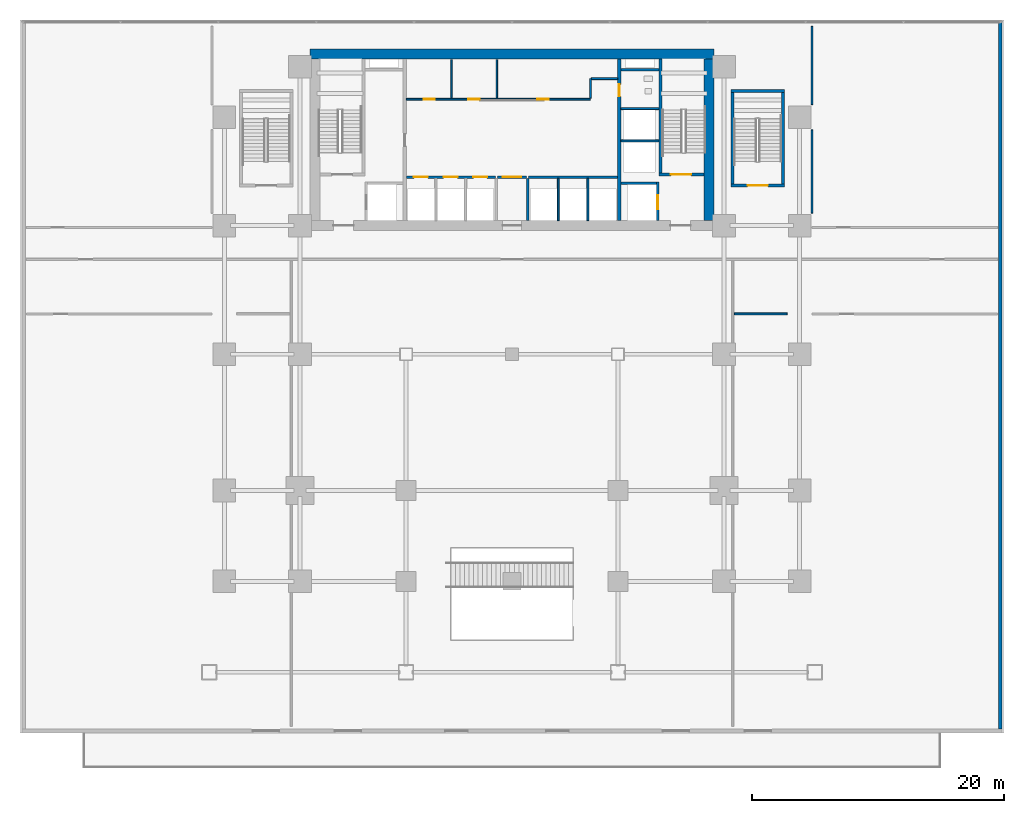
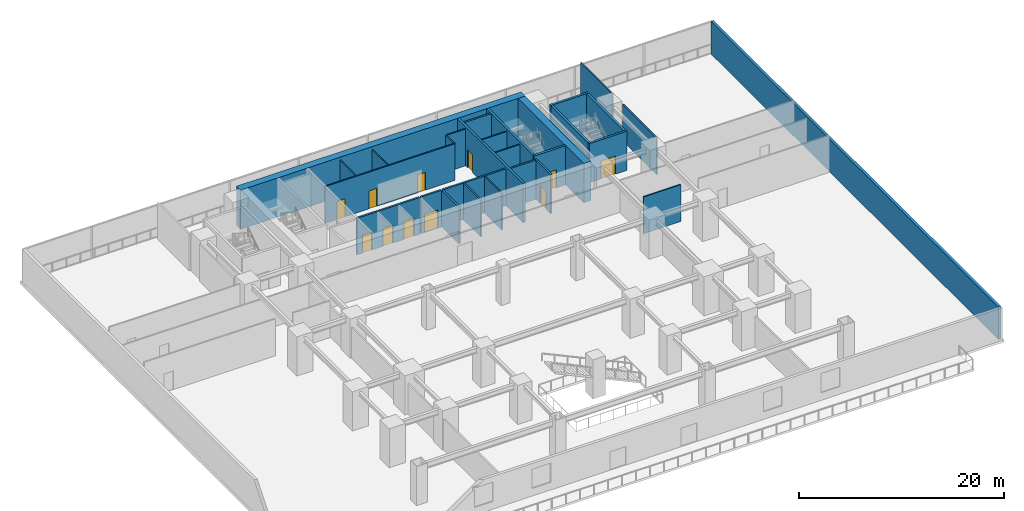
# One storey, part 10 of 17: 29 walls, 11 doors, 11 openings.
"""IFC4 building model written with IfcOpenShell, lengths in metres."""

from ifc_helpers import new_model, si_unit, direction, frame, frame_2d, origin, place, context, subcontext, project, spatial, rectangle, extrude, source, transform, mapped, material, layer, layer_set, type_object, element, fill, save


model = new_model("IFC4")

# Units and contexts
model_context = context("Model", 3, precision=1e-05, world=origin(), true_north=direction((0.0, 1.0)))
body_context = subcontext(model_context, "Body", "Model", "MODEL_VIEW")
ifc_project = project(units=[si_unit("LENGTHUNIT", "METRE"), si_unit("AREAUNIT", "SQUARE_METRE"), si_unit("VOLUMEUNIT", "CUBIC_METRE"), si_unit("PLANEANGLEUNIT", "RADIAN"), si_unit("MASSUNIT", "GRAM", prefix="KILO")], contexts=[model_context])

# Site, building, storey
site_placement = place(None, origin())
site = spatial("IfcSite", under=ifc_project, at=site_placement, CompositionType="ELEMENT")
building_placement = place(site_placement, origin())
building = spatial("IfcBuilding", under=site, at=building_placement, Name="Sumidabori Civic Tower", CompositionType="ELEMENT")
storey_placement = place(building_placement, frame((0.0, 0.0, 5.0)))
storey = spatial("IfcBuildingStorey", under=building, at=storey_placement, Name="L01", CompositionType="ELEMENT", Elevation=5.0)

# Walls
ifc_material_1 = material(Name="Concrete C60/75", Category="concrete")
ifc_layer_1 = layer(ifc_material_1, 0.800048828125, Name="Concrete C60/75")
ifc_layer_set_1 = layer_set([ifc_layer_1], Name="Concrete C60/75")
wall_type_1 = type_object("IfcWallType", Name="WL-CORE-800", PredefinedType="SHEAR", material=ifc_layer_set_1)
shared_shape_1 = source(origin(), body_context, "Body", "SweptSolid", [
    extrude(rectangle(XDim=32.0, YDim=0.800048828125, at=frame_2d((16.0, 0.0))), origin(), (0.0, 0.0, 1.0), 4.64990234375),
])
wall_1_placement = place(storey_placement, frame((-16.0, 23.800048828125, 0.0), z_axis=(0.0, 0.0, 1.0), x_axis=(1.0, 0.0, 0.0)))
element("IfcWall", 1, at=wall_1_placement, inside=storey, type_object=wall_type_1, Name="Core Shear Wall L01 N", PredefinedType="SHEAR", context=body_context, shape_type="MappedRepresentation", body=[
    mapped(shared_shape_1, transform((0.0, 0.0, 0.0), x_axis=(1.0, 0.0, 0.0), y_axis=(0.0, 1.0, 0.0), z_axis=(0.0, 0.0, 1.0), scale=1.0)),
])
shared_shape_2 = source(origin(), body_context, "Body", "SweptSolid", [
    extrude(rectangle(XDim=12.7998046875, YDim=0.800048828125, at=frame_2d((6.39990234375, 0.0))), origin(), (0.0, 0.0, 1.0), 4.64990234375),
])
wall_2_placement = place(storey_placement, frame((15.60009765625, 10.60009765625, 0.0), z_axis=(0.0, 0.0, 1.0), x_axis=(0.0, 1.0, 0.0)))
element("IfcWall", 2, at=wall_2_placement, inside=storey, type_object=wall_type_1, Name="Core Shear Wall L01 E", PredefinedType="SHEAR", context=body_context, shape_type="MappedRepresentation", body=[
    mapped(shared_shape_2, transform((0.0, 0.0, 0.0), x_axis=(1.0, 0.0, 0.0), y_axis=(0.0, 1.0, 0.0), z_axis=(0.0, 0.0, 1.0), scale=1.0)),
])

# Wall, opening, door
ifc_material_2 = material(Name="Concrete C50/60", Category="concrete")
ifc_layer_2 = layer(ifc_material_2, 0.25, Name="Concrete C50/60")
ifc_layer_set_2 = layer_set([ifc_layer_2], Name="Concrete C50/60")
wall_type_2 = type_object("IfcWallType", Name="WL-SHAFT-250", PredefinedType="SHEAR", material=ifc_layer_set_2)
shared_shape_3 = source(origin(), body_context, "Body", "SweptSolid", [
    extrude(rectangle(XDim=12.7998046875, YDim=0.25, at=frame_2d((6.39990234375, 0.0))), origin(), (0.0, 0.0, 1.0), 4.64990234375),
])
wall_3_placement = place(storey_placement, frame((8.5, 10.60009765625, 0.0), z_axis=(0.0, 0.0, 1.0), x_axis=(0.0, 1.0, 0.0)))
wall_3 = element("IfcWall", 3, at=wall_3_placement, inside=storey, type_object=wall_type_2, Name="Core Shear Wall L01 WEB-E", PredefinedType="SHEAR", context=body_context, shape_type="MappedRepresentation", body=[
    mapped(shared_shape_3, transform((0.0, 0.0, 0.0), x_axis=(1.0, 0.0, 0.0), y_axis=(0.0, 1.0, 0.0), z_axis=(0.0, 0.0, 1.0), scale=1.0)),
])
opening_1_placement = place(wall_3_placement, frame((9.85009765625, 0.0, 0.0)))
opening_1 = element("IfcOpeningElement", 4, at=opening_1_placement, cuts=wall_3, Name="Opening DR-2", PredefinedType="OPENING", context=body_context, shape_type="SweptSolid", body=[
    extrude(rectangle(XDim=0.949951171875, YDim=2.14990234375, at=frame_2d((0.47509765625, 1.074951171875))), frame((0.0, 0.136962890625, 0.0), z_axis=(0.0, -1.0, 0.0), x_axis=(1.0, 0.0, 0.0)), (0.0, 0.0, 1.0), 0.27392578125),
])
ifc_material_3 = material(Name="Japanese Hinoki Timber", Category="wood")
door_type_1 = type_object("IfcDoorType", Name="DR-INT-950", OperationType="NOTDEFINED", PredefinedType="DOOR", material=ifc_material_3)
shared_shape_4 = source(origin(), body_context, "Body", "SweptSolid", [
    extrude(rectangle(XDim=0.949951171875, YDim=2.14990234375, at=frame_2d((0.47509765625, 1.074951171875))), frame((0.0, 0.02490234375, 0.0), z_axis=(0.0, -1.0, 0.0), x_axis=(1.0, 0.0, 0.0)), (0.0, 0.0, 1.0), 0.050048828125),
])
door_1_placement = place(opening_1_placement, origin())
door_1 = element("IfcDoor", 5, at=door_1_placement, inside=storey, type_object=door_type_1, Name="Door DR:L01:WC-ACC", OperationType="SINGLE_SWING_RIGHT", OverallHeight=2.14990234375, OverallWidth=0.949951171875, PredefinedType="DOOR", context=body_context, shape_type="MappedRepresentation", body=[
    mapped(shared_shape_4, transform((0.0, 0.0, 0.0), x_axis=(1.0, 0.0, 0.0), y_axis=(0.0, 1.0, 0.0), z_axis=(0.0, 0.0, 1.0), scale=1.0)),
])
fill(opening_1, door_1)

shared_shape_5 = source(origin(), body_context, "Body", "SweptSolid", [
    extrude(rectangle(XDim=3.554931640625, YDim=0.25, at=frame_2d((1.77734375, 0.0))), origin(), (0.0, 0.0, 1.0), 4.64990234375),
])
wall_4_placement = place(storey_placement, frame((11.64501953125, 14.25, 0.0), z_axis=(0.0, 0.0, 1.0), x_axis=(1.0, 0.0, 0.0)))
wall_4 = element("IfcWall", 6, at=wall_4_placement, inside=storey, type_object=wall_type_2, Name="Core Shear Wall L01 ST2-S", PredefinedType="SHEAR", context=body_context, shape_type="MappedRepresentation", body=[
    mapped(shared_shape_5, transform((0.0, 0.0, 0.0), x_axis=(1.0, 0.0, 0.0), y_axis=(0.0, 1.0, 0.0), z_axis=(0.0, 0.0, 1.0), scale=1.0)),
])
opening_2_placement = place(wall_4_placement, frame((0.949951171875, 0.0, 0.0)))
opening_2 = element("IfcOpeningElement", 7, at=opening_2_placement, cuts=wall_4, Name="Opening DR-FD4", PredefinedType="OPENING", context=body_context, shape_type="SweptSolid", body=[
    extrude(rectangle(XDim=1.60009765625, YDim=2.14990234375, at=frame_2d((0.800048828125, 1.074951171875))), frame((0.0, 0.136962890625, 0.0), z_axis=(0.0, -1.0, 0.0), x_axis=(1.0, 0.0, 0.0)), (0.0, 0.0, 1.0), 0.27392578125),
])
ifc_material_4 = material(Name="Steel SN490", Category="steel")
door_type_2 = type_object("IfcDoorType", Name="DR-FD4", OperationType="DOUBLE_DOOR_SINGLE_SWING", PredefinedType="DOOR", material=ifc_material_4)
shared_shape_6 = source(origin(), body_context, "Body", "SweptSolid", [
    extrude(rectangle(XDim=1.60009765625, YDim=2.14990234375, at=frame_2d((0.800048828125, 1.074951171875))), frame((0.0, 0.02490234375, 0.0), z_axis=(0.0, -1.0, 0.0), x_axis=(1.0, 0.0, 0.0)), (0.0, 0.0, 1.0), 0.050048828125),
])
door_2_placement = place(opening_2_placement, origin())
door_2 = element("IfcDoor", 8, at=door_2_placement, inside=storey, type_object=door_type_2, Name="Door DR:L01:ST2", OperationType="DOUBLE_DOOR_SINGLE_SWING", OverallHeight=2.14990234375, OverallWidth=1.60009765625, PredefinedType="DOOR", context=body_context, shape_type="MappedRepresentation", body=[
    mapped(shared_shape_6, transform((0.0, 0.0, 0.0), x_axis=(1.0, 0.0, 0.0), y_axis=(0.0, 1.0, 0.0), z_axis=(0.0, 0.0, 1.0), scale=1.0)),
])
fill(opening_2, door_2)

# Wall
shared_shape_7 = source(origin(), body_context, "Body", "SweptSolid", [
    extrude(rectangle(XDim=9.02490234375, YDim=0.25, at=frame_2d((4.512451171875, 0.0))), origin(), (0.0, 0.0, 1.0), 4.64990234375),
])
wall_5_placement = place(storey_placement, frame((11.77001953125, 14.375, 0.0), z_axis=(0.0, 0.0, 1.0), x_axis=(0.0, 1.0, 0.0)))
element("IfcWall", 9, at=wall_5_placement, inside=storey, type_object=wall_type_2, Name="Core Shear Wall L01 ST2-W", PredefinedType="SHEAR", context=body_context, shape_type="MappedRepresentation", body=[
    mapped(shared_shape_7, transform((0.0, 0.0, 0.0), x_axis=(1.0, 0.0, 0.0), y_axis=(0.0, 1.0, 0.0), z_axis=(0.0, 0.0, 1.0), scale=1.0)),
])

# Wall, opening, door
ifc_layer_3 = layer(ifc_material_2, 0.199951171875, Name="Concrete C50/60")
ifc_layer_set_3 = layer_set([ifc_layer_3], Name="Concrete C50/60")
wall_type_3 = type_object("IfcWallType", Name="WL-SHAFT-200", PredefinedType="SHEAR", material=ifc_layer_set_3)
shared_shape_8 = source(origin(), body_context, "Body", "SweptSolid", [
    extrude(rectangle(XDim=3.0498046875, YDim=0.199951171875, at=frame_2d((1.52490234375, 0.0))), origin(), (0.0, 0.0, 1.0), 4.64990234375),
])
wall_6_placement = place(storey_placement, frame((11.550048828125, 10.60009765625, 0.0), z_axis=(0.0, 0.0, 1.0), x_axis=(0.0, 1.0, 0.0)))
wall_6 = element("IfcWall", 10, at=wall_6_placement, inside=storey, type_object=wall_type_3, Name="Core Shear Wall L01 EL2-E", PredefinedType="SHEAR", context=body_context, shape_type="MappedRepresentation", body=[
    mapped(shared_shape_8, transform((0.0, 0.0, 0.0), x_axis=(1.0, 0.0, 0.0), y_axis=(0.0, 1.0, 0.0), z_axis=(0.0, 0.0, 1.0), scale=1.0)),
])
opening_3_placement = place(wall_6_placement, frame((0.89990234375, 0.0, 0.0)))
opening_3 = element("IfcOpeningElement", 11, at=opening_3_placement, cuts=wall_6, Name="Opening LD-2", PredefinedType="OPENING", context=body_context, shape_type="SweptSolid", body=[
    extrude(rectangle(XDim=1.10009765625, YDim=2.14990234375, at=frame_2d((0.550048828125, 1.074951171875))), frame((0.0, 0.11181640625, 0.0), z_axis=(0.0, -1.0, 0.0), x_axis=(1.0, 0.0, 0.0)), (0.0, 0.0, 1.0), 0.223876953125),
])
ifc_material_5 = material(Name="Stainless Steel Hairline Finish", Category="steel")
door_type_3 = type_object("IfcDoorType", Name="DR-LD2", OperationType="DOUBLE_DOOR_SLIDING", PredefinedType="DOOR", material=ifc_material_5)
shared_shape_9 = source(origin(), body_context, "Body", "SweptSolid", [
    extrude(rectangle(XDim=1.10009765625, YDim=2.14990234375, at=frame_2d((0.550048828125, 1.074951171875))), frame((0.0, 0.02490234375, 0.0), z_axis=(0.0, -1.0, 0.0), x_axis=(1.0, 0.0, 0.0)), (0.0, 0.0, 1.0), 0.050048828125),
])
door_3_placement = place(opening_3_placement, origin())
door_3 = element("IfcDoor", 12, at=door_3_placement, inside=storey, type_object=door_type_3, Name="Door DR:L01:LD-EL2", OperationType="DOUBLE_DOOR_SLIDING", OverallHeight=2.14990234375, OverallWidth=1.10009765625, PredefinedType="DOOR", context=body_context, shape_type="MappedRepresentation", body=[
    mapped(shared_shape_9, transform((0.0, 0.0, 0.0), x_axis=(1.0, 0.0, 0.0), y_axis=(0.0, 1.0, 0.0), z_axis=(0.0, 0.0, 1.0), scale=1.0)),
])
fill(opening_3, door_3)

# Walls
shared_shape_10 = source(origin(), body_context, "Body", "SweptSolid", [
    extrude(rectangle(XDim=2.824951171875, YDim=0.199951171875, at=frame_2d((1.41259765625, 0.0))), origin(), (0.0, 0.0, 1.0), 4.64990234375),
])
wall_7_placement = place(storey_placement, frame((8.625, 13.550048828125, 0.0), z_axis=(0.0, 0.0, 1.0), x_axis=(1.0, 0.0, 0.0)))
element("IfcWall", 13, at=wall_7_placement, inside=storey, type_object=wall_type_3, Name="Core Shear Wall L01 EL2-N", PredefinedType="SHEAR", context=body_context, shape_type="MappedRepresentation", body=[
    mapped(shared_shape_10, transform((0.0, 0.0, 0.0), x_axis=(1.0, 0.0, 0.0), y_axis=(0.0, 1.0, 0.0), z_axis=(0.0, 0.0, 1.0), scale=1.0)),
])
shared_shape_11 = source(origin(), body_context, "Body", "SweptSolid", [
    extrude(rectangle(XDim=3.02001953125, YDim=0.199951171875, at=frame_2d((1.510009765625, 0.0))), origin(), (0.0, 0.0, 1.0), 4.64990234375),
])
wall_8_placement = place(storey_placement, frame((8.625, 22.550048828125, 0.0), z_axis=(0.0, 0.0, 1.0), x_axis=(1.0, 0.0, 0.0)))
element("IfcWall", 14, at=wall_8_placement, inside=storey, type_object=wall_type_3, Name="Core Shear Wall L01 RIS2-S", PredefinedType="SHEAR", context=body_context, shape_type="MappedRepresentation", body=[
    mapped(shared_shape_11, transform((0.0, 0.0, 0.0), x_axis=(1.0, 0.0, 0.0), y_axis=(0.0, 1.0, 0.0), z_axis=(0.0, 0.0, 1.0), scale=1.0)),
])
shared_shape_12 = source(origin(), body_context, "Body", "SweptSolid", [
    extrude(rectangle(XDim=4.260009765625, YDim=0.25, at=frame_2d((2.1298828125, 0.0))), origin(), (0.0, 0.0, 1.0), 4.64990234375),
])
wall_9_placement = place(storey_placement, frame((17.35009765625, 20.864990234375, 0.0), z_axis=(0.0, 0.0, 1.0), x_axis=(1.0, 0.0, 0.0)))
element("IfcWall", 15, at=wall_9_placement, inside=storey, type_object=wall_type_2, Name="Core Shear Wall L01 ST4-N", PredefinedType="SHEAR", context=body_context, shape_type="MappedRepresentation", body=[
    mapped(shared_shape_12, transform((0.0, 0.0, 0.0), x_axis=(1.0, 0.0, 0.0), y_axis=(0.0, 1.0, 0.0), z_axis=(0.0, 0.0, 1.0), scale=1.0)),
])

# Wall, opening, door
wall_10_placement = place(storey_placement, frame((17.35009765625, 13.375, 0.0), z_axis=(0.0, 0.0, 1.0), x_axis=(1.0, 0.0, 0.0)))
wall_10 = element("IfcWall", 16, at=wall_10_placement, inside=storey, type_object=wall_type_2, Name="Core Shear Wall L01 ST4-S", PredefinedType="SHEAR", context=body_context, shape_type="MappedRepresentation", body=[
    mapped(shared_shape_12, transform((0.0, 0.0, 0.0), x_axis=(1.0, 0.0, 0.0), y_axis=(0.0, 1.0, 0.0), z_axis=(0.0, 0.0, 1.0), scale=1.0)),
])
opening_4_placement = place(wall_10_placement, frame((1.330078125, 0.0, 0.0)))
opening_4 = element("IfcOpeningElement", 17, at=opening_4_placement, cuts=wall_10, Name="Opening DR-FD4", PredefinedType="OPENING", context=body_context, shape_type="SweptSolid", body=[
    extrude(rectangle(XDim=1.60009765625, YDim=2.14990234375, at=frame_2d((0.800048828125, 1.074951171875))), frame((0.0, 0.136962890625, 0.0), z_axis=(0.0, -1.0, 0.0), x_axis=(1.0, 0.0, 0.0)), (0.0, 0.0, 1.0), 0.27392578125),
])
door_4_placement = place(opening_4_placement, origin())
door_4 = element("IfcDoor", 18, at=door_4_placement, inside=storey, type_object=door_type_2, Name="Door DR:L01:ST4", OperationType="DOUBLE_DOOR_SINGLE_SWING", OverallHeight=2.14990234375, OverallWidth=1.60009765625, PredefinedType="DOOR", context=body_context, shape_type="MappedRepresentation", body=[
    mapped(shared_shape_6, transform((0.0, 0.0, 0.0), x_axis=(1.0, 0.0, 0.0), y_axis=(0.0, 1.0, 0.0), z_axis=(0.0, 0.0, 1.0), scale=1.0)),
])
fill(opening_4, door_4)

# Walls
shared_shape_13 = source(origin(), body_context, "Body", "SweptSolid", [
    extrude(rectangle(XDim=7.230224609375, YDim=0.25, at=frame_2d((3.615234375, 0.0))), origin(), (0.0, 0.0, 1.0), 4.64990234375),
])
for number, where, z_axis, x_axis, name in (
    (19, (17.47509765625, 13.5048828125, 0.0), (0.0, 0.0, 1.0), (0.0, 1.0, 0.0), "Core Shear Wall L01 ST4-W"),
    (20, (21.485107421875, 13.5048828125, 0.0), (0.0, 0.0, 1.0), (0.0, 1.0, 0.0), "Core Shear Wall L01 ST4-E"),
):
    element("IfcWall", number, at=place(storey_placement, frame(where, z_axis=z_axis, x_axis=x_axis)), inside=storey, type_object=wall_type_2, Name=name, PredefinedType="SHEAR", context=body_context, shape_type="MappedRepresentation", body=[
        mapped(shared_shape_13, transform((0.0, 0.0, 0.0), x_axis=(1.0, 0.0, 0.0), y_axis=(0.0, 1.0, 0.0), z_axis=(0.0, 0.0, 1.0), scale=1.0)),
    ])
ifc_material_6 = material(Name="Precast concrete C40/50", Category="concrete")
ifc_layer_4 = layer(ifc_material_6, 0.300048828125, Name="Precast concrete C40/50")
ifc_layer_set_4 = layer_set([ifc_layer_4], Name="Precast concrete C40/50")
wall_type_4 = type_object("IfcWallType", Name="WL-EXT-POD300", PredefinedType="STANDARD", material=ifc_layer_set_4)
shared_shape_14 = source(origin(), body_context, "Body", "SweptSolid", [
    extrude(rectangle(XDim=55.989990234375, YDim=0.300048828125, at=frame_2d((27.9951171875, 0.0))), origin(), (0.0, 0.0, 1.0), 3.8701171875),
])
wall_11_placement = place(storey_placement, frame((38.699951171875, 26.2900390625, 0.0), z_axis=(0.0, 0.0, 1.0), x_axis=(0.0, -1.0, 0.0)))
element("IfcWall", 21, at=wall_11_placement, inside=storey, type_object=wall_type_4, Name="Podium East Wall L01", PredefinedType="STANDARD", context=body_context, shape_type="MappedRepresentation", body=[
    mapped(shared_shape_14, transform((0.0, 0.0, 0.0), x_axis=(1.0, 0.0, 0.0), y_axis=(0.0, 1.0, 0.0), z_axis=(0.0, 0.0, 1.0), scale=1.0)),
])
ifc_material_7 = material(Name="Gypsum Plasterboard Acoustic Partition")
ifc_layer_5 = layer(ifc_material_7, 0.14990234375, Name="Gypsum Plasterboard Acoustic Partition")
ifc_layer_set_5 = layer_set([ifc_layer_5], Name="Gypsum Plasterboard Acoustic Partition")
wall_type_5 = type_object("IfcWallType", Name="WL-PART-150", PredefinedType="PARTITIONING", material=ifc_layer_set_5)
shared_shape_15 = source(origin(), body_context, "Body", "SweptSolid", [
    extrude(rectangle(XDim=3.010009765625, YDim=0.14990234375, at=frame_2d((1.5048828125, 0.0))), origin(), (0.0, 0.0, 1.0), 4.3701171875),
])
for number, where, z_axis, x_axis, name in (
    (22, (8.6298828125, 16.919921875, 0.0), (0.0, 0.0, 1.0), (1.0, 0.0, 0.0), "Interior Partition WL:L01:DIV-OBS1"),
    (23, (8.6298828125, 19.469970703125, 0.0), (0.0, 0.0, 1.0), (1.0, 0.0, 0.0), "Interior Partition WL:L01:DIV-OBS2"),
):
    element("IfcWall", number, at=place(storey_placement, frame(where, z_axis=z_axis, x_axis=x_axis)), inside=storey, type_object=wall_type_5, Name=name, PredefinedType="PARTITIONING", context=body_context, shape_type="MappedRepresentation", body=[
        mapped(shared_shape_15, transform((0.0, 0.0, 0.0), x_axis=(1.0, 0.0, 0.0), y_axis=(0.0, 1.0, 0.0), z_axis=(0.0, 0.0, 1.0), scale=1.0)),
    ])

# Wall, openings, doors
ifc_material_8 = material(Name="Gypsum Plasterboard Fire Partition")
ifc_layer_6 = layer(ifc_material_8, 0.199951171875, Name="Gypsum Plasterboard Fire Partition")
ifc_layer_set_6 = layer_set([ifc_layer_6], Name="Gypsum Plasterboard Fire Partition")
wall_type_6 = type_object("IfcWallType", Name="WL-PART-FIRE", PredefinedType="PARTITIONING", material=ifc_layer_set_6)
shared_shape_16 = source(origin(), body_context, "Body", "SweptSolid", [
    extrude(rectangle(XDim=7.070068359375, YDim=0.199951171875, at=frame_2d((3.53515625, 0.0))), origin(), (0.0, 0.0, 1.0), 4.3701171875),
])
wall_12_placement = place(storey_placement, frame((-8.3701171875, 14.050048828125, 0.0), z_axis=(0.0, 0.0, 1.0), x_axis=(1.0, 0.0, 0.0)))
wall_12 = element("IfcWall", 24, at=wall_12_placement, inside=storey, type_object=wall_type_6, Name="Interior Partition WL:L01:CBAND-SW", PredefinedType="PARTITIONING", context=body_context, shape_type="MappedRepresentation", body=[
    mapped(shared_shape_16, transform((0.0, 0.0, 0.0), x_axis=(1.0, 0.0, 0.0), y_axis=(0.0, 1.0, 0.0), z_axis=(0.0, 0.0, 1.0), scale=1.0)),
])
opening_5_placement = place(wall_12_placement, frame((0.60009765625, 0.0, 0.0)))
opening_5 = element("IfcOpeningElement", 25, at=opening_5_placement, cuts=wall_12, Name="Opening LD-1", PredefinedType="OPENING", context=body_context, shape_type="SweptSolid", body=[
    extrude(rectangle(XDim=1.10009765625, YDim=2.14990234375, at=frame_2d((0.550048828125, 1.074951171875))), frame((0.0, 0.11181640625, 0.0), z_axis=(0.0, -1.0, 0.0), x_axis=(1.0, 0.0, 0.0)), (0.0, 0.0, 1.0), 0.223876953125),
])
opening_6_placement = place(wall_12_placement, frame((2.949951171875, 0.0, 0.0)))
opening_6 = element("IfcOpeningElement", 26, at=opening_6_placement, cuts=wall_12, Name="Opening LD-1", PredefinedType="OPENING", context=body_context, shape_type="SweptSolid", body=[
    extrude(rectangle(XDim=1.10009765625, YDim=2.14990234375, at=frame_2d((0.550048828125, 1.074951171875))), frame((0.0, 0.11181640625, 0.0), z_axis=(0.0, -1.0, 0.0), x_axis=(1.0, 0.0, 0.0)), (0.0, 0.0, 1.0), 0.223876953125),
])
opening_7_placement = place(wall_12_placement, frame((5.300048828125, 0.0, 0.0)))
opening_7 = element("IfcOpeningElement", 27, at=opening_7_placement, cuts=wall_12, Name="Opening LD-1", PredefinedType="OPENING", context=body_context, shape_type="SweptSolid", body=[
    extrude(rectangle(XDim=1.10009765625, YDim=2.14990234375, at=frame_2d((0.550048828125, 1.074951171875))), frame((0.0, 0.11181640625, 0.0), z_axis=(0.0, -1.0, 0.0), x_axis=(1.0, 0.0, 0.0)), (0.0, 0.0, 1.0), 0.223876953125),
])
door_type_4 = type_object("IfcDoorType", Name="DR-LD1", OperationType="DOUBLE_DOOR_SLIDING", PredefinedType="DOOR", material=ifc_material_5)
door_5_placement = place(opening_5_placement, origin())
door_5 = element("IfcDoor", 28, at=door_5_placement, inside=storey, type_object=door_type_4, Name="Door DR:L01:LD-PLL1", OperationType="DOUBLE_DOOR_SLIDING", OverallHeight=2.14990234375, OverallWidth=1.10009765625, PredefinedType="DOOR", context=body_context, shape_type="MappedRepresentation", body=[
    mapped(shared_shape_9, transform((0.0, 0.0, 0.0), x_axis=(1.0, 0.0, 0.0), y_axis=(0.0, 1.0, 0.0), z_axis=(0.0, 0.0, 1.0), scale=1.0)),
])
fill(opening_5, door_5)
door_6_placement = place(opening_6_placement, origin())
door_6 = element("IfcDoor", 29, at=door_6_placement, inside=storey, type_object=door_type_4, Name="Door DR:L01:LD-PLL2", OperationType="DOUBLE_DOOR_SLIDING", OverallHeight=2.14990234375, OverallWidth=1.10009765625, PredefinedType="DOOR", context=body_context, shape_type="MappedRepresentation", body=[
    mapped(shared_shape_9, transform((0.0, 0.0, 0.0), x_axis=(1.0, 0.0, 0.0), y_axis=(0.0, 1.0, 0.0), z_axis=(0.0, 0.0, 1.0), scale=1.0)),
])
fill(opening_6, door_6)
door_7_placement = place(opening_7_placement, origin())
door_7 = element("IfcDoor", 30, at=door_7_placement, inside=storey, type_object=door_type_4, Name="Door DR:L01:LD-PLL3", OperationType="DOUBLE_DOOR_SLIDING", OverallHeight=2.14990234375, OverallWidth=1.10009765625, PredefinedType="DOOR", context=body_context, shape_type="MappedRepresentation", body=[
    mapped(shared_shape_9, transform((0.0, 0.0, 0.0), x_axis=(1.0, 0.0, 0.0), y_axis=(0.0, 1.0, 0.0), z_axis=(0.0, 0.0, 1.0), scale=1.0)),
])
fill(opening_7, door_7)

# Walls
wall_13_placement = place(storey_placement, frame((1.300048828125, 14.050048828125, 0.0), z_axis=(0.0, 0.0, 1.0), x_axis=(1.0, 0.0, 0.0)))
element("IfcWall", 31, at=wall_13_placement, inside=storey, type_object=wall_type_6, Name="Interior Partition WL:L01:CBAND-SE", PredefinedType="PARTITIONING", context=body_context, shape_type="MappedRepresentation", body=[
    mapped(shared_shape_16, transform((0.0, 0.0, 0.0), x_axis=(1.0, 0.0, 0.0), y_axis=(0.0, 1.0, 0.0), z_axis=(0.0, 0.0, 1.0), scale=1.0)),
])
shared_shape_17 = source(origin(), body_context, "Body", "SweptSolid", [
    extrude(rectangle(XDim=3.33984375, YDim=0.199951171875, at=frame_2d((1.669921875, 0.0))), origin(), (0.0, 0.0, 1.0), 4.3701171875),
])
wall_14_placement = place(storey_placement, frame((1.25, 10.60009765625, 0.0), z_axis=(0.0, 0.0, 1.0), x_axis=(0.0, 1.0, 0.0)))
element("IfcWall", 32, at=wall_14_placement, inside=storey, type_object=wall_type_6, Name="Interior Partition WL:L01:THROAT-E", PredefinedType="PARTITIONING", context=body_context, shape_type="MappedRepresentation", body=[
    mapped(shared_shape_17, transform((0.0, 0.0, 0.0), x_axis=(1.0, 0.0, 0.0), y_axis=(0.0, 1.0, 0.0), z_axis=(0.0, 0.0, 1.0), scale=1.0)),
])

# Wall, opening, door
shared_shape_18 = source(origin(), body_context, "Body", "SweptSolid", [
    extrude(rectangle(XDim=2.2998046875, YDim=0.199951171875, at=frame_2d((1.14990234375, 0.0))), origin(), (0.0, 0.0, 1.0), 4.3701171875),
])
wall_15_placement = place(storey_placement, frame((-1.14990234375, 14.050048828125, 0.0), z_axis=(0.0, 0.0, 1.0), x_axis=(1.0, 0.0, 0.0)))
wall_15 = element("IfcWall", 33, at=wall_15_placement, inside=storey, type_object=wall_type_6, Name="Interior Partition WL:L01:THROAT-N", PredefinedType="PARTITIONING", context=body_context, shape_type="MappedRepresentation", body=[
    mapped(shared_shape_18, transform((0.0, 0.0, 0.0), x_axis=(1.0, 0.0, 0.0), y_axis=(0.0, 1.0, 0.0), z_axis=(0.0, 0.0, 1.0), scale=1.0)),
])
opening_8_placement = place(wall_15_placement, frame((0.39990234375, 0.0, 0.0)))
opening_8 = element("IfcOpeningElement", 34, at=opening_8_placement, cuts=wall_15, Name="Opening DR-FD3", PredefinedType="OPENING", context=body_context, shape_type="SweptSolid", body=[
    extrude(rectangle(XDim=1.5, YDim=2.199951171875, at=frame_2d((0.75, 1.10009765625))), frame((0.0, 0.11181640625, 0.0), z_axis=(0.0, -1.0, 0.0), x_axis=(1.0, 0.0, 0.0)), (0.0, 0.0, 1.0), 0.223876953125),
])
door_type_5 = type_object("IfcDoorType", Name="DR-FD-DBL", OperationType="DOUBLE_DOOR_SINGLE_SWING", PredefinedType="DOOR", material=ifc_material_4)
shared_shape_19 = source(origin(), body_context, "Body", "SweptSolid", [
    extrude(rectangle(XDim=1.5, YDim=2.199951171875, at=frame_2d((0.75, 1.10009765625))), frame((0.0, 0.02490234375, 0.0), z_axis=(0.0, -1.0, 0.0), x_axis=(1.0, 0.0, 0.0)), (0.0, 0.0, 1.0), 0.050048828125),
])
door_8_placement = place(opening_8_placement, origin())
door_8 = element("IfcDoor", 35, at=door_8_placement, inside=storey, type_object=door_type_5, Name="Door DR:L01:THROAT-IN", OperationType="DOUBLE_DOOR_SINGLE_SWING", OverallHeight=2.199951171875, OverallWidth=1.5, PredefinedType="DOOR", context=body_context, shape_type="MappedRepresentation", body=[
    mapped(shared_shape_19, transform((0.0, 0.0, 0.0), x_axis=(1.0, 0.0, 0.0), y_axis=(0.0, 1.0, 0.0), z_axis=(0.0, 0.0, 1.0), scale=1.0)),
])
fill(opening_8, door_8)

# Wall, openings, doors
shared_shape_20 = source(origin(), body_context, "Body", "SweptSolid", [
    extrude(rectangle(XDim=14.590087890625, YDim=0.14990234375, at=frame_2d((7.294921875, 0.0))), origin(), (0.0, 0.0, 1.0), 4.3701171875),
])
wall_16_placement = place(storey_placement, frame((-8.3701171875, 20.219970703125, 0.0), z_axis=(0.0, 0.0, 1.0), x_axis=(1.0, 0.0, 0.0)))
wall_16 = element("IfcWall", 36, at=wall_16_placement, inside=storey, type_object=wall_type_5, Name="Interior Partition WL:L01:CBAND-M", PredefinedType="PARTITIONING", context=body_context, shape_type="MappedRepresentation", body=[
    mapped(shared_shape_20, transform((0.0, 0.0, 0.0), x_axis=(1.0, 0.0, 0.0), y_axis=(0.0, 1.0, 0.0), z_axis=(0.0, 0.0, 1.0), scale=1.0)),
])
opening_9_placement = place(wall_16_placement, frame((1.360107421875, 0.0, 0.0)))
opening_9 = element("IfcOpeningElement", 37, at=opening_9_placement, cuts=wall_16, Name="Opening DR-1", PredefinedType="OPENING", context=body_context, shape_type="SweptSolid", body=[
    extrude(rectangle(XDim=0.89990234375, YDim=2.14990234375, at=frame_2d((0.449951171875, 1.074951171875))), frame((0.0, 0.0869140625, 0.0), z_axis=(0.0, -1.0, 0.0), x_axis=(1.0, 0.0, 0.0)), (0.0, 0.0, 1.0), 0.173828125),
])
opening_10_placement = place(wall_16_placement, frame((4.919921875, 0.0, 0.0)))
opening_10 = element("IfcOpeningElement", 38, at=opening_10_placement, cuts=wall_16, Name="Opening DR-1", PredefinedType="OPENING", context=body_context, shape_type="SweptSolid", body=[
    extrude(rectangle(XDim=0.89990234375, YDim=2.14990234375, at=frame_2d((0.449951171875, 1.074951171875))), frame((0.0, 0.0869140625, 0.0), z_axis=(0.0, -1.0, 0.0), x_axis=(1.0, 0.0, 0.0)), (0.0, 0.0, 1.0), 0.173828125),
])
opening_11_placement = place(wall_16_placement, frame((10.3701171875, 0.0, 0.0)))
opening_11 = element("IfcOpeningElement", 39, at=opening_11_placement, cuts=wall_16, Name="Opening DR-1", PredefinedType="OPENING", context=body_context, shape_type="SweptSolid", body=[
    extrude(rectangle(XDim=0.89990234375, YDim=2.14990234375, at=frame_2d((0.449951171875, 1.074951171875))), frame((0.0, 0.0869140625, 0.0), z_axis=(0.0, -1.0, 0.0), x_axis=(1.0, 0.0, 0.0)), (0.0, 0.0, 1.0), 0.173828125),
])
door_type_6 = type_object("IfcDoorType", Name="DR-INT-900", OperationType="NOTDEFINED", PredefinedType="DOOR", material=ifc_material_3)
shared_shape_21 = source(origin(), body_context, "Body", "SweptSolid", [
    extrude(rectangle(XDim=0.89990234375, YDim=2.14990234375, at=frame_2d((0.449951171875, 1.074951171875))), frame((0.0, 0.02490234375, 0.0), z_axis=(0.0, -1.0, 0.0), x_axis=(1.0, 0.0, 0.0)), (0.0, 0.0, 1.0), 0.050048828125),
])
door_9_placement = place(opening_9_placement, origin())
door_9 = element("IfcDoor", 40, at=door_9_placement, inside=storey, type_object=door_type_6, Name="Door DR:L01:CB-1", OperationType="SINGLE_SWING_LEFT", OverallHeight=2.14990234375, OverallWidth=0.89990234375, PredefinedType="DOOR", context=body_context, shape_type="MappedRepresentation", body=[
    mapped(shared_shape_21, transform((0.0, 0.0, 0.0), x_axis=(1.0, 0.0, 0.0), y_axis=(0.0, 1.0, 0.0), z_axis=(0.0, 0.0, 1.0), scale=1.0)),
])
fill(opening_9, door_9)
door_10_placement = place(opening_10_placement, origin())
door_10 = element("IfcDoor", 41, at=door_10_placement, inside=storey, type_object=door_type_6, Name="Door DR:L01:CB-2", OperationType="SINGLE_SWING_RIGHT", OverallHeight=2.14990234375, OverallWidth=0.89990234375, PredefinedType="DOOR", context=body_context, shape_type="MappedRepresentation", body=[
    mapped(shared_shape_21, transform((0.0, 0.0, 0.0), x_axis=(1.0, 0.0, 0.0), y_axis=(0.0, 1.0, 0.0), z_axis=(0.0, 0.0, 1.0), scale=1.0)),
])
fill(opening_10, door_10)
door_11_placement = place(opening_11_placement, origin())
door_11 = element("IfcDoor", 42, at=door_11_placement, inside=storey, type_object=door_type_6, Name="Door DR:L01:CB-3", OperationType="SINGLE_SWING_LEFT", OverallHeight=2.14990234375, OverallWidth=0.89990234375, PredefinedType="DOOR", context=body_context, shape_type="MappedRepresentation", body=[
    mapped(shared_shape_21, transform((0.0, 0.0, 0.0), x_axis=(1.0, 0.0, 0.0), y_axis=(0.0, 1.0, 0.0), z_axis=(0.0, 0.0, 1.0), scale=1.0)),
])
fill(opening_11, door_11)

# Walls
shared_shape_22 = source(origin(), body_context, "Body", "SweptSolid", [
    extrude(rectangle(XDim=1.550048828125, YDim=0.14990234375, at=frame_2d((0.77490234375, 0.0))), origin(), (0.0, 0.0, 1.0), 4.3701171875),
])
wall_17_placement = place(storey_placement, frame((6.219970703125, 20.300048828125, 0.0), z_axis=(0.0, 0.0, 1.0), x_axis=(0.0, 1.0, 0.0)))
element("IfcWall", 43, at=wall_17_placement, inside=storey, type_object=wall_type_5, Name="Interior Partition WL:L01:CBAND-ME1", PredefinedType="PARTITIONING", context=body_context, shape_type="MappedRepresentation", body=[
    mapped(shared_shape_22, transform((0.0, 0.0, 0.0), x_axis=(1.0, 0.0, 0.0), y_axis=(0.0, 1.0, 0.0), z_axis=(0.0, 0.0, 1.0), scale=1.0)),
])
shared_shape_23 = source(origin(), body_context, "Body", "SweptSolid", [
    extrude(rectangle(XDim=2.070068359375, YDim=0.14990234375, at=frame_2d((1.03515625, 0.0))), origin(), (0.0, 0.0, 1.0), 4.3701171875),
])
wall_18_placement = place(storey_placement, frame((6.300048828125, 21.85009765625, 0.0), z_axis=(0.0, 0.0, 1.0), x_axis=(1.0, 0.0, 0.0)))
element("IfcWall", 44, at=wall_18_placement, inside=storey, type_object=wall_type_5, Name="Interior Partition WL:L01:CBAND-ME2", PredefinedType="PARTITIONING", context=body_context, shape_type="MappedRepresentation", body=[
    mapped(shared_shape_23, transform((0.0, 0.0, 0.0), x_axis=(1.0, 0.0, 0.0), y_axis=(0.0, 1.0, 0.0), z_axis=(0.0, 0.0, 1.0), scale=1.0)),
])
shared_shape_24 = source(origin(), body_context, "Body", "SweptSolid", [
    extrude(rectangle(XDim=3.33984375, YDim=0.14990234375, at=frame_2d((1.669921875, 0.0))), origin(), (0.0, 0.0, 1.0), 4.3701171875),
])
for number, where, z_axis, x_axis, name in (
    (45, (3.669921875, 10.60009765625, 0.0), (0.0, 0.0, 1.0), (0.0, 1.0, 0.0), "Interior Partition WL:L01:DIV-PLM1"),
    (46, (6.02001953125, 10.60009765625, 0.0), (0.0, 0.0, 1.0), (0.0, 1.0, 0.0), "Interior Partition WL:L01:DIV-PLM2"),
):
    element("IfcWall", number, at=place(storey_placement, frame(where, z_axis=z_axis, x_axis=x_axis)), inside=storey, type_object=wall_type_5, Name=name, PredefinedType="PARTITIONING", context=body_context, shape_type="MappedRepresentation", body=[
        mapped(shared_shape_24, transform((0.0, 0.0, 0.0), x_axis=(1.0, 0.0, 0.0), y_axis=(0.0, 1.0, 0.0), z_axis=(0.0, 0.0, 1.0), scale=1.0)),
    ])
ifc_layer_7 = layer(ifc_material_7, 0.1201171875, Name="Gypsum Plasterboard Acoustic Partition")
ifc_layer_set_7 = layer_set([ifc_layer_7], Name="Gypsum Plasterboard Acoustic Partition")
wall_type_7 = type_object("IfcWallType", Name="WL-PART-120", PredefinedType="PARTITIONING", material=ifc_layer_set_7)
shared_shape_25 = source(origin(), body_context, "Body", "SweptSolid", [
    extrude(rectangle(XDim=3.0400390625, YDim=0.1201171875, at=frame_2d((1.52001953125, 0.0))), origin(), (0.0, 0.0, 1.0), 4.3701171875),
])
for number, where, z_axis, x_axis, name in (
    (47, (-4.800048828125, 20.320068359375, 0.0), (0.0, 0.0, 1.0), (0.0, 1.0, 0.0), "Interior Partition WL:L01:LV8-S1"),
    (48, (-1.199951171875, 20.320068359375, 0.0), (0.0, 0.0, 1.0), (0.0, 1.0, 0.0), "Interior Partition WL:L01:LV8-S2"),
):
    element("IfcWall", number, at=place(storey_placement, frame(where, z_axis=z_axis, x_axis=x_axis)), inside=storey, type_object=wall_type_7, Name=name, PredefinedType="PARTITIONING", context=body_context, shape_type="MappedRepresentation", body=[
        mapped(shared_shape_25, transform((0.0, 0.0, 0.0), x_axis=(1.0, 0.0, 0.0), y_axis=(0.0, 1.0, 0.0), z_axis=(0.0, 0.0, 1.0), scale=1.0)),
    ])
shared_shape_26 = source(origin(), body_context, "Body", "SweptSolid", [
    extrude(rectangle(XDim=6.60009765625, YDim=0.14990234375, at=frame_2d((3.300048828125, 0.0))), origin(), (0.0, 0.0, 1.0), 4.3701171875),
])
wall_19_placement = place(storey_placement, frame((23.780029296875, 11.199951171875, 0.0), z_axis=(0.0, 0.0, 1.0), x_axis=(0.0, 1.0, 0.0)))
element("IfcWall", 49, at=wall_19_placement, inside=storey, type_object=wall_type_5, Name="Interior Partition WL:L01:NE-W1", PredefinedType="PARTITIONING", context=body_context, shape_type="MappedRepresentation", body=[
    mapped(shared_shape_26, transform((0.0, 0.0, 0.0), x_axis=(1.0, 0.0, 0.0), y_axis=(0.0, 1.0, 0.0), z_axis=(0.0, 0.0, 1.0), scale=1.0)),
])
shared_shape_27 = source(origin(), body_context, "Body", "SweptSolid", [
    extrude(rectangle(XDim=6.199951171875, YDim=0.14990234375, at=frame_2d((3.10009765625, 0.0))), origin(), (0.0, 0.0, 1.0), 4.3701171875),
])
wall_20_placement = place(storey_placement, frame((23.780029296875, 19.800048828125, 0.0), z_axis=(0.0, 0.0, 1.0), x_axis=(0.0, 1.0, 0.0)))
element("IfcWall", 50, at=wall_20_placement, inside=storey, type_object=wall_type_5, Name="Interior Partition WL:L01:NE-W2", PredefinedType="PARTITIONING", context=body_context, shape_type="MappedRepresentation", body=[
    mapped(shared_shape_27, transform((0.0, 0.0, 0.0), x_axis=(1.0, 0.0, 0.0), y_axis=(0.0, 1.0, 0.0), z_axis=(0.0, 0.0, 1.0), scale=1.0)),
])
shared_shape_28 = source(origin(), body_context, "Body", "SweptSolid", [
    extrude(rectangle(XDim=4.179931640625, YDim=0.14990234375, at=frame_2d((2.08984375, 0.0))), origin(), (0.0, 0.0, 1.0), 4.3701171875),
])
wall_21_placement = place(storey_placement, frame((17.6201171875, 3.199951171875, 0.0), z_axis=(0.0, 0.0, 1.0), x_axis=(1.0, 0.0, 0.0)))
element("IfcWall", 51, at=wall_21_placement, inside=storey, type_object=wall_type_5, Name="Interior Partition WL:L01:SUB-E1", PredefinedType="PARTITIONING", context=body_context, shape_type="MappedRepresentation", body=[
    mapped(shared_shape_28, transform((0.0, 0.0, 0.0), x_axis=(1.0, 0.0, 0.0), y_axis=(0.0, 1.0, 0.0), z_axis=(0.0, 0.0, 1.0), scale=1.0)),
])

save(model, "model.ifc")
